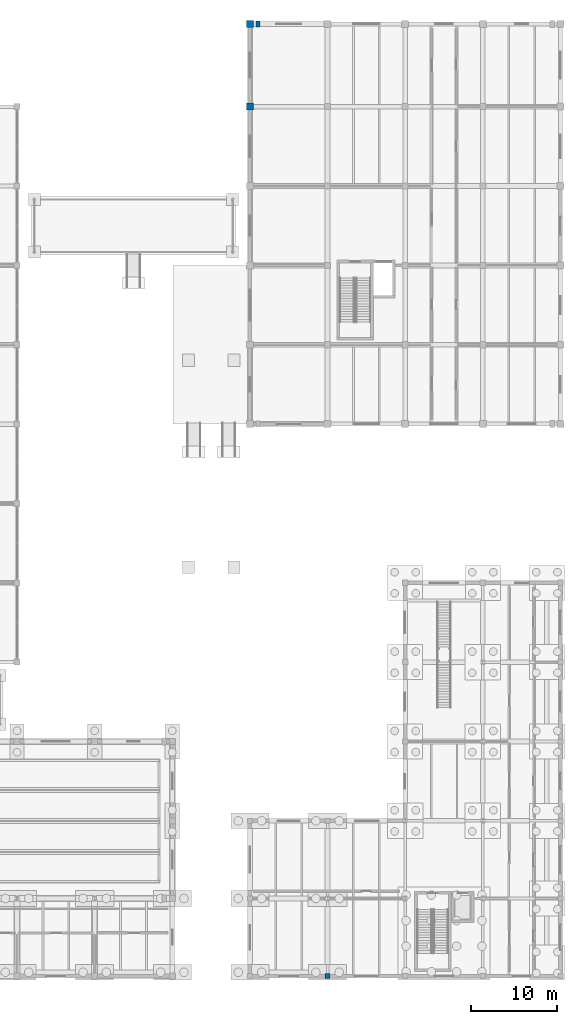
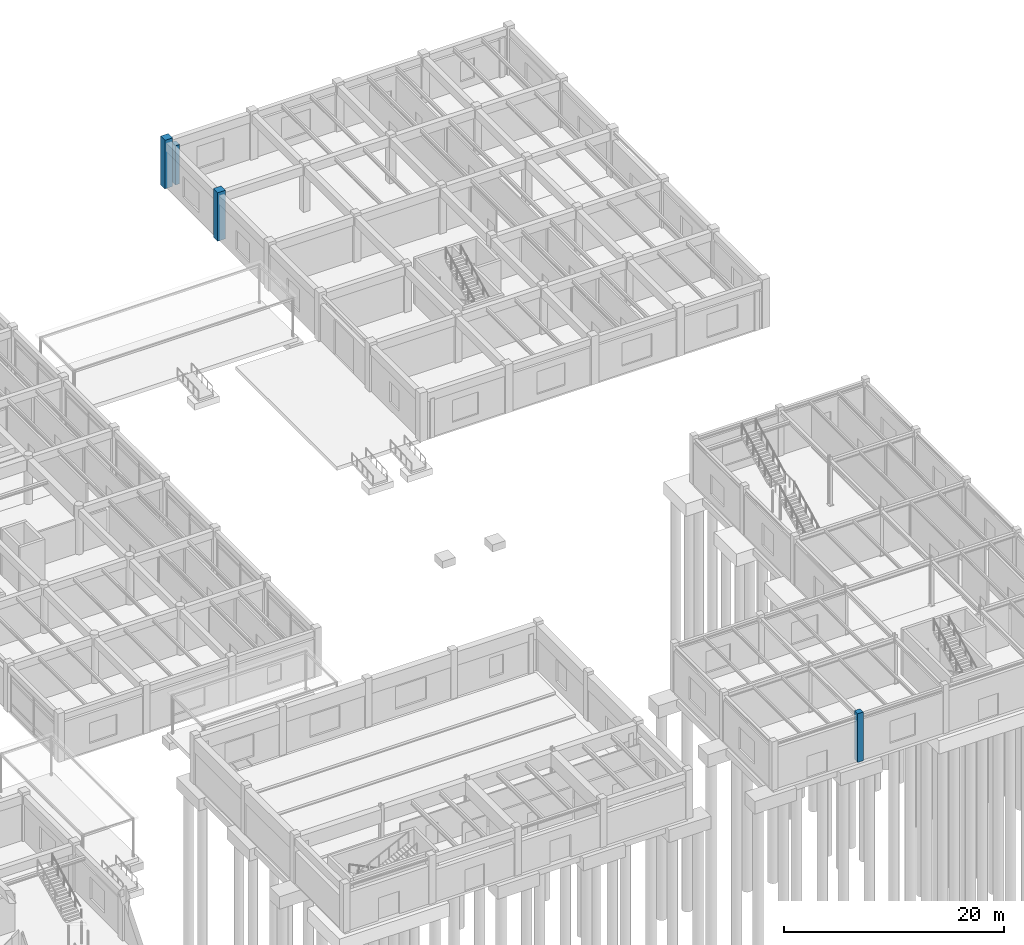
# One storey, part 23 of 76: 4 columns.
"""IFC4 building model written with IfcOpenShell, lengths in metres."""

from ifc_helpers import new_model, si_unit, direction, frame, origin, origin_2d, place, context, subcontext, project, spatial, rectangle, extrude, material, material_profile, profile_set, type_object, element, save


model = new_model("IFC4")

# Units and contexts
model_context = context("Model", 3, precision=1e-05, world=origin(), true_north=direction((0.0, 1.0)))
body_context = subcontext(model_context, "Body", "Model", "MODEL_VIEW")
ifc_project = project(units=[si_unit("LENGTHUNIT", "METRE"), si_unit("AREAUNIT", "SQUARE_METRE"), si_unit("VOLUMEUNIT", "CUBIC_METRE"), si_unit("PLANEANGLEUNIT", "RADIAN"), si_unit("MASSUNIT", "GRAM", prefix="KILO")], contexts=[model_context])

# Site, building, storey
site_placement = place(None, origin())
site = spatial("IfcSite", under=ifc_project, at=site_placement, CompositionType="ELEMENT")
building_placement = place(site_placement, origin())
building = spatial("IfcBuilding", under=site, at=building_placement, Name="Bozkorgan Art Gallery", CompositionType="ELEMENT")
storey_placement = place(building_placement, origin())
storey = spatial("IfcBuildingStorey", under=building, at=storey_placement, Name="L00", CompositionType="ELEMENT", Elevation=0.0)

# Columns
ifc_material = material(Name="Concrete C40/50", Category="concrete")
ifc_material_profile_1 = material_profile(ifc_material, rectangle(XDim=0.60009765625, YDim=0.60009765625, at=origin_2d()), Name="RC 600x600")
ifc_profile_set_1 = profile_set([ifc_material_profile_1], Name="Concrete C40/50")
column_type_1 = type_object("IfcColumnType", Name="COLUMN-C-24", PredefinedType="COLUMN", material=ifc_profile_set_1)
column_1_placement = place(storey_placement, frame((137.0, 2.0, 0.0), z_axis=(0.0, 0.0, 1.0), x_axis=(1.0, 0.0, 0.0)))
element("IfcColumn", 1, at=column_1_placement, inside=storey, type_object=column_type_1, Name="V6 L00 column (137.0, 2.0)", PredefinedType="COLUMN", context=body_context, shape_type="SweptSolid", body=[
    extrude(rectangle(XDim=0.60009765625, YDim=0.60009765625, at=origin_2d()), origin(), (0.0, 0.0, 1.0), 5.39990234375),
])
ifc_material_profile_2 = material_profile(ifc_material, rectangle(XDim=0.800048828125, YDim=0.800048828125, at=origin_2d()), Name="RC 800x800")
ifc_profile_set_2 = profile_set([ifc_material_profile_2], Name="Concrete C40/50")
column_type_2 = type_object("IfcColumnType", Name="COLUMN-C-45", PredefinedType="COLUMN", material=ifc_profile_set_2)
for number, where, z_axis, x_axis, name in (
    (2, (128.0, 102.800048828125, 0.0), (0.0, 0.0, 1.0), (1.0, 0.0, 0.0), "V5 L00 column (128.0, 102.8)"),
    (3, (128.0, 112.39990234375, 0.0), (0.0, 0.0, 1.0), (1.0, 0.0, 0.0), "V5 L00 column (128.0, 112.4)"),
):
    element("IfcColumn", number, at=place(storey_placement, frame(where, z_axis=z_axis, x_axis=x_axis)), inside=storey, type_object=column_type_2, Name=name, PredefinedType="COLUMN", context=body_context, shape_type="SweptSolid", body=[
        extrude(rectangle(XDim=0.800048828125, YDim=0.800048828125, at=origin_2d()), origin(), (0.0, 0.0, 1.0), 5.39990234375),
    ])
ifc_material_profile_3 = material_profile(ifc_material, rectangle(XDim=0.449951171875, YDim=0.699951171875, at=origin_2d()), Name="RC 450x700")
ifc_profile_set_3 = profile_set([ifc_material_profile_3], Name="Concrete C40/50")
column_type_3 = type_object("IfcColumnType", Name="COLUMN-PL-20", PredefinedType="PILASTER", material=ifc_profile_set_3)
column_2_placement = place(storey_placement, frame((128.949951171875, 112.39990234375, 0.0), z_axis=(0.0, 0.0, 1.0), x_axis=(1.0, 0.0, 0.0)))
element("IfcColumn", 4, at=column_2_placement, inside=storey, type_object=column_type_3, Name="V5 L00 corner masonry pilaster 7", PredefinedType="PILASTER", context=body_context, shape_type="SweptSolid", body=[
    extrude(rectangle(XDim=0.449951171875, YDim=0.699951171875, at=origin_2d()), origin(), (0.0, 0.0, 1.0), 4.35009765625),
])

save(model, "model.ifc")
